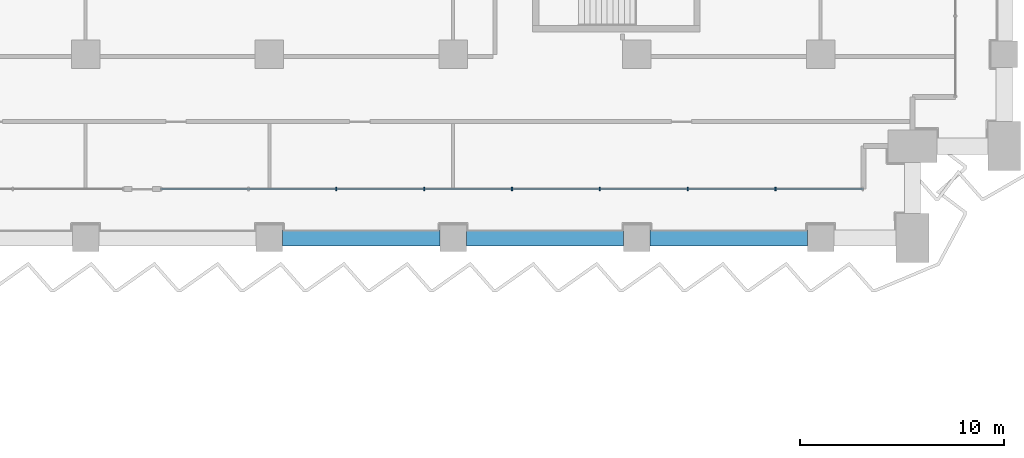
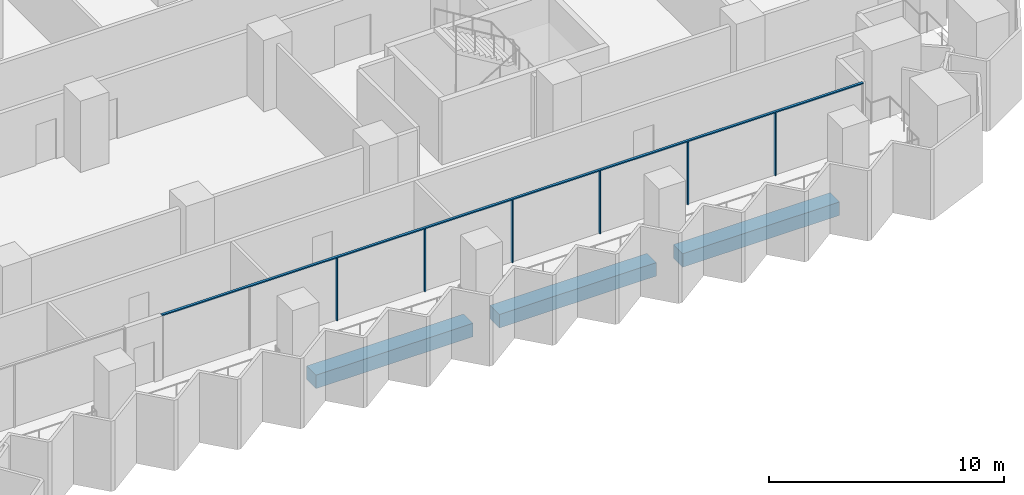
# One storey, part 5 of 29: 7 members, 3 beams, 1 element without a shape of its own.
"""IFC4 building model written with IfcOpenShell, lengths in metres."""

import ifcopenshell
import ifcopenshell.guid

model = None  # the IFC model being written
_history = None  # IfcOwnerHistory: only IFC2X3 demands one
_inside = {}  # id of a spatial element -> (the spatial element, [elements in it])
_under = {}  # id of a project, library or spatial element -> (it, [spatial elements below it])
_declared = {}  # id of a project -> (the project, [libraries it declares])
_typed = {}  # id of a type object -> (the type object, [elements of that type])
_made_of = {}  # id of a material, layer set ... -> (it, [elements and type objects made of it])


def new_model(schema):
    """Start an empty IFC model of exactly this schema.

    Asked for "IFC4X3", IfcOpenShell would pick the latest addendum, in which some entities
    have other attributes; the version numbers below select the first issue.
    IFC2X3 requires an IfcOwnerHistory on every rooted entity: one is made here for all.
    """
    global model, _history
    if schema == "IFC4X3":
        model = ifcopenshell.file(schema_version=(4, 3, 0, 0))
    else:
        model = ifcopenshell.file(schema=schema)
    _inside.clear()
    _under.clear()
    _declared.clear()
    _typed.clear()
    _made_of.clear()
    _history = None
    if model.schema == "IFC2X3":
        org = make("IfcOrganization", Name="unknown")
        user = make(
            "IfcPersonAndOrganization",
            ThePerson=make("IfcPerson", FamilyName="unknown"),
            TheOrganization=org,
        )
        app = make(
            "IfcApplication",
            ApplicationDeveloper=org,
            Version="unknown",
            ApplicationFullName="unknown",
            ApplicationIdentifier="unknown",
        )
        _history = make(
            "IfcOwnerHistory",
            OwningUser=user,
            OwningApplication=app,
            ChangeAction="ADDED",
            CreationDate=0,
        )
    return model


def make(cls, **values):
    """One entity of the class cls with the attributes given. An attribute that is None is left unset."""
    return model.create_entity(
        cls, **{name: value for name, value in values.items() if value is not None}
    )


def rooted(cls, **values):
    """An entity with a GlobalId (a new one), such as an element, a storey or a relation."""
    return make(cls, GlobalId=ifcopenshell.guid.new(), OwnerHistory=_history, **values)


def si_unit(unit_type, name, prefix=None):
    """IfcSIUnit, for example si_unit("LENGTHUNIT", "METRE", prefix="MILLI")."""
    return make("IfcSIUnit", UnitType=unit_type, Prefix=prefix, Name=name)


def assignment(units):
    """IfcUnitAssignment: the units of a project."""
    return None if units is None else make("IfcUnitAssignment", Units=units)


def point(xyz):
    """IfcCartesianPoint."""
    return None if xyz is None else make("IfcCartesianPoint", Coordinates=xyz)


def direction(xyz):
    """IfcDirection."""
    return None if xyz is None else make("IfcDirection", DirectionRatios=xyz)


def frame(location, z_axis=None, x_axis=None):
    """IfcAxis2Placement3D, a coordinate frame: its origin and axes. An axis left out is left unset."""
    return make(
        "IfcAxis2Placement3D",
        Location=point(location),
        Axis=direction(z_axis),
        RefDirection=direction(x_axis),
    )


def frame_2d(location, x_axis=None):
    """IfcAxis2Placement2D, a coordinate frame in the plane: its origin and x axis."""
    return make(
        "IfcAxis2Placement2D", Location=point(location), RefDirection=direction(x_axis)
    )


def origin():
    """The frame at (0, 0, 0) with its axes left unset."""
    return frame((0.0, 0.0, 0.0))


def origin_2d():
    """The frame at (0, 0) in the plane with its x axis left unset."""
    return frame_2d((0.0, 0.0))


def place(relative_to, where):
    """IfcLocalPlacement: puts the frame where relative to a parent placement (None: the world)."""
    return make(
        "IfcLocalPlacement", PlacementRelTo=relative_to, RelativePlacement=where
    )


def context(
    kind, dimensions, precision=None, world=None, true_north=None, identifier=None
):
    """IfcGeometricRepresentationContext, for example the 3D "Model" context."""
    return make(
        "IfcGeometricRepresentationContext",
        ContextIdentifier=identifier,
        ContextType=kind,
        CoordinateSpaceDimension=dimensions,
        Precision=precision,
        WorldCoordinateSystem=world,
        TrueNorth=true_north,
    )


def subcontext(parent, identifier, kind, view, scale=None):
    """IfcGeometricRepresentationSubContext, for example "Body" below "Model"."""
    return make(
        "IfcGeometricRepresentationSubContext",
        ContextIdentifier=identifier,
        ContextType=kind,
        ParentContext=parent,
        TargetScale=scale,
        TargetView=view,
    )


def project(units=None, contexts=None):
    """IfcProject with its units and contexts."""
    return rooted(
        "IfcProject",
        Name="project",
        RepresentationContexts=contexts,
        UnitsInContext=assignment(units),
    )


def spatial(cls, under=None, at=None, **own):
    """A site, building, storey or space (cls), placed at a placement, below another one or the project."""
    s = rooted(cls, ObjectPlacement=at, **own)
    if under is not None:
        _under.setdefault(under.id(), (under, []))[1].append(s)
    return s


def profile(cls, at=None, kind="AREA", **sizes):
    """A parametric profile (cls). Its sizes go by their IFC names, for example OverallWidth=200.0."""
    return make(cls, ProfileType=kind, Position=at, **sizes)


def rectangle(**sizes):
    """IfcRectangleProfileDef."""
    return profile("IfcRectangleProfileDef", **sizes)


def extrude(swept, where, along, depth):
    """IfcExtrudedAreaSolid: the profile swept, set in the frame where, extruded along a direction by depth."""
    return make(
        "IfcExtrudedAreaSolid",
        SweptArea=swept,
        Position=where,
        ExtrudedDirection=direction(along),
        Depth=depth,
    )


def shape(context_of_items, identifier, shape_type, items):
    """IfcShapeRepresentation: the items that make up one representation, for example the "Body"."""
    return make(
        "IfcShapeRepresentation",
        ContextOfItems=context_of_items,
        RepresentationIdentifier=identifier,
        RepresentationType=shape_type,
        Items=items,
    )


def material(Name=None, Category=None):
    """IfcMaterial."""
    return make("IfcMaterial", Name=Name, Category=Category)


def material_profile(
    of_material, cross_section, Name=None, Category=None, Priority=None
):
    """IfcMaterialProfile: a cross section and its material."""
    return make(
        "IfcMaterialProfile",
        Name=Name,
        Material=of_material,
        Profile=cross_section,
        Priority=Priority,
        Category=Category,
    )


def profile_set(profiles, Name=None, composite=None):
    """IfcMaterialProfileSet."""
    return make(
        "IfcMaterialProfileSet",
        Name=Name,
        MaterialProfiles=profiles,
        CompositeProfile=composite,
    )


def made_of(thing, what):
    """Note that an element or type object is made of a material, layer set ...; save() writes the relation."""
    if what is not None:
        _made_of.setdefault(what.id(), (what, []))[1].append(thing)
    return thing


def type_object(cls, material=None, **own):
    """A type object (cls), such as IfcWallType, which elements share."""
    return made_of(rooted(cls, **own), material)


def element(
    cls,
    number,
    at=None,
    inside=None,
    cuts=None,
    type_object=None,
    material=None,
    context=None,
    identifier="Body",
    shape_type=None,
    held_by="IfcProductDefinitionShape",
    body=None,
    shapes=None,
    **own,
):
    """One element of the class cls, such as IfcWall. Its Tag is "e" and its number.

    at: its placement. inside: the storey or other place that contains it. cuts: it is an
    opening in that element (IfcRelVoidsElement). A single representation is given by context,
    identifier, shape_type and body (its items); several are given by shapes. held_by: the class
    of the entity that holds the representations. save() writes the other relations.
    """
    e = rooted(cls, Tag="e%d" % number, ObjectPlacement=at, **own)
    if body is not None:
        shapes = [shape(context, identifier, shape_type, body)]
    if shapes is not None:
        e.Representation = make(held_by, Representations=shapes)
    if inside is not None:
        _inside.setdefault(inside.id(), (inside, []))[1].append(e)
    if cuts is not None:
        rooted(
            "IfcRelVoidsElement", RelatingBuildingElement=cuts, RelatedOpeningElement=e
        )
    if type_object is not None:
        _typed.setdefault(type_object.id(), (type_object, []))[1].append(e)
    return made_of(e, material)


def aggregate(whole, parts):
    """IfcRelAggregates: a whole, such as a stair, and the parts it consists of."""
    return rooted("IfcRelAggregates", RelatingObject=whole, RelatedObjects=parts)


def save(model, path):
    """Write the relations noted so far, then the file.

    IfcRelAggregates (storeys below a building ...), IfcRelContainedInSpatialStructure (elements
    in a storey), IfcRelDefinesByType, IfcRelAssociatesMaterial and IfcRelDeclares: one each for
    every whole, place, type object, material and project.
    """
    for whole, parts in _under.values():
        aggregate(whole, parts)
    for where, things in _inside.values():
        rooted(
            "IfcRelContainedInSpatialStructure",
            RelatedElements=things,
            RelatingStructure=where,
        )
    for kind, things in _typed.values():
        rooted("IfcRelDefinesByType", RelatedObjects=things, RelatingType=kind)
    for what, things in _made_of.values():
        rooted("IfcRelAssociatesMaterial", RelatedObjects=things, RelatingMaterial=what)
    for by, libraries in _declared.values():
        rooted("IfcRelDeclares", RelatingContext=by, RelatedDefinitions=libraries)
    model.write(path)


model = new_model("IFC4")

# Units and contexts
model_context = context("Model", 3, precision=1e-05, world=origin(), true_north=direction((0.0, 1.0)))
body_context = subcontext(model_context, "Body", "Model", "MODEL_VIEW")
ifc_project = project(units=[si_unit("LENGTHUNIT", "METRE"), si_unit("AREAUNIT", "SQUARE_METRE"), si_unit("VOLUMEUNIT", "CUBIC_METRE"), si_unit("PLANEANGLEUNIT", "RADIAN"), si_unit("MASSUNIT", "GRAM", prefix="KILO")], contexts=[model_context])

# Site, building, storey
site_placement = place(None, origin())
site = spatial("IfcSite", under=ifc_project, at=site_placement, CompositionType="ELEMENT")
building_placement = place(site_placement, origin())
building = spatial("IfcBuilding", under=site, at=building_placement, Name="Hunhe Ridgeline Campus", CompositionType="ELEMENT")
storey_placement = place(building_placement, frame((0.0, 0.0, 50.60009765625)))
storey = spatial("IfcBuildingStorey", under=building, at=storey_placement, Name="L11", CompositionType="ELEMENT", Elevation=50.60009765625)

# Curtain wall, members
ifc_material_1 = material(Name="Aluminium 6063", Category="aluminium")
curtain_wall_type = type_object("IfcCurtainWallType", Name="Curtain wall CW-1", PredefinedType="NOTDEFINED", material=ifc_material_1)
curtain_wall_placement = place(storey_placement, origin())
curtain_wall = element("IfcCurtainWall", 1, at=curtain_wall_placement, inside=storey, type_object=curtain_wall_type, Name="Curtain wall 13", PredefinedType="NOTDEFINED")
ifc_material_profile_1 = material_profile(ifc_material_1, rectangle(XDim=0.159912109375, YDim=0.06005859375, at=origin_2d()))
ifc_profile_set_1 = profile_set([ifc_material_profile_1], Name="Aluminium 6063")
member_type_1 = type_object("IfcMemberType", Name="CW-1 aluminium mullion", PredefinedType="MULLION", material=ifc_profile_set_1)
member_1_placement = place(storey_placement, frame((66.280517578125, 56.40087890625, 0.0), z_axis=(0.0, 0.0, 1.0), x_axis=(-3.602063e-06, 0.999999999994, 0.0)))
member_1 = element("IfcMember", 2, at=member_1_placement, type_object=member_type_1, Name="CW-1 mullion 3", PredefinedType="MULLION", context=body_context, shape_type="SweptSolid", body=[
    extrude(rectangle(XDim=0.159912109375, YDim=0.06005859375, at=origin_2d()), origin(), (0.0, 0.0, 1.0), 3.239990234375),
])
member_2_placement = place(storey_placement, frame((70.58349609375, 56.40087890625, 0.0), z_axis=(0.0, 0.0, 1.0), x_axis=(-3.602063e-06, 0.999999999994, 0.0)))
member_2 = element("IfcMember", 3, at=member_2_placement, type_object=member_type_1, Name="CW-1 mullion 4", PredefinedType="MULLION", context=body_context, shape_type="SweptSolid", body=[
    extrude(rectangle(XDim=0.159912109375, YDim=0.06005859375, at=origin_2d()), origin(), (0.0, 0.0, 1.0), 3.239990234375),
])
member_3_placement = place(storey_placement, frame((74.88671875, 56.40087890625, 0.0), z_axis=(0.0, 0.0, 1.0), x_axis=(-3.602063e-06, 0.999999999994, 0.0)))
member_3 = element("IfcMember", 4, at=member_3_placement, type_object=member_type_1, Name="CW-1 mullion 5", PredefinedType="MULLION", context=body_context, shape_type="SweptSolid", body=[
    extrude(rectangle(XDim=0.159912109375, YDim=0.06005859375, at=origin_2d()), origin(), (0.0, 0.0, 1.0), 3.239990234375),
])
member_4_placement = place(storey_placement, frame((79.189697265625, 56.40087890625, 0.0), z_axis=(0.0, 0.0, 1.0), x_axis=(-3.602063e-06, 0.999999999994, 0.0)))
member_4 = element("IfcMember", 5, at=member_4_placement, type_object=member_type_1, Name="CW-1 mullion 6", PredefinedType="MULLION", context=body_context, shape_type="SweptSolid", body=[
    extrude(rectangle(XDim=0.159912109375, YDim=0.06005859375, at=origin_2d()), origin(), (0.0, 0.0, 1.0), 3.239990234375),
])
member_5_placement = place(storey_placement, frame((83.492919921875, 56.40087890625, 0.0), z_axis=(0.0, 0.0, 1.0), x_axis=(-3.602063e-06, 0.999999999994, 0.0)))
member_5 = element("IfcMember", 6, at=member_5_placement, type_object=member_type_1, Name="CW-1 mullion 7", PredefinedType="MULLION", context=body_context, shape_type="SweptSolid", body=[
    extrude(rectangle(XDim=0.159912109375, YDim=0.06005859375, at=origin_2d()), origin(), (0.0, 0.0, 1.0), 3.239990234375),
])
member_6_placement = place(storey_placement, frame((87.7958984375, 56.40087890625, 0.0), z_axis=(0.0, 0.0, 1.0), x_axis=(-3.602063e-06, 0.999999999994, 0.0)))
member_6 = element("IfcMember", 7, at=member_6_placement, type_object=member_type_1, Name="CW-1 mullion 8", PredefinedType="MULLION", context=body_context, shape_type="SweptSolid", body=[
    extrude(rectangle(XDim=0.159912109375, YDim=0.06005859375, at=origin_2d()), origin(), (0.0, 0.0, 1.0), 3.239990234375),
])
ifc_material_profile_2 = material_profile(ifc_material_1, rectangle(XDim=0.1201171875, YDim=0.06005859375, at=origin_2d()))
ifc_profile_set_2 = profile_set([ifc_material_profile_2], Name="Aluminium 6063")
member_type_2 = type_object("IfcMemberType", Name="CW-1 aluminium transom", PredefinedType="USERDEFINED", material=ifc_profile_set_2)
member_7_placement = place(storey_placement, frame((57.67431640625, 56.40087890625, 3.27001953125), z_axis=(1.0, 0.0, 0.0), x_axis=(0.0, 1.0, 0.0)))
member_7 = element("IfcMember", 8, at=member_7_placement, type_object=member_type_2, Name="CW-1 transom 1", ObjectType="TRANSOM", PredefinedType="USERDEFINED", context=body_context, shape_type="SweptSolid", body=[
    extrude(rectangle(XDim=0.1201171875, YDim=0.06005859375, at=origin_2d()), origin(), (0.0, 0.0, 1.0), 34.4248046875),
])
aggregate(curtain_wall, [member_7, member_1, member_2, member_3, member_4, member_5, member_6])

# Beams
ifc_material_2 = material(Name="Concrete C60", Category="concrete")
ifc_material_profile_3 = material_profile(ifc_material_2, rectangle(XDim=0.800048828125, YDim=0.699951171875, at=origin_2d()))
ifc_profile_set_3 = profile_set([ifc_material_profile_3], Name="Concrete C60")
beam_type = type_object("IfcBeamType", Name="RC spandrel beam 800x700 Concrete C60", PredefinedType="SPANDREL", material=ifc_profile_set_3)
for number, where, z_axis, x_axis, name in (
    (9, (63.64990234375, 54.0, -0.60009765625), (1.0, 0.0, 0.0), (0.0, 1.0, 0.0), "Spandrel beam B1-14 L11"),
    (10, (72.64990234375, 54.0, -0.60009765625), (1.0, 0.0, 0.0), (0.0, 1.0, 0.0), "Spandrel beam B1-15 L11"),
    (11, (81.64990234375, 54.0, -0.60009765625), (1.0, 0.0, 0.0), (0.0, 1.0, 0.0), "Spandrel beam B1-16 L11"),
):
    element("IfcBeam", number, at=place(storey_placement, frame(where, z_axis=z_axis, x_axis=x_axis)), inside=storey, type_object=beam_type, Name=name, PredefinedType="SPANDREL", context=body_context, shape_type="SweptSolid", body=[
        extrude(rectangle(XDim=0.800048828125, YDim=0.699951171875, at=origin_2d()), origin(), (0.0, 0.0, 1.0), 7.7001953125),
    ])

save(model, "model.ifc")
